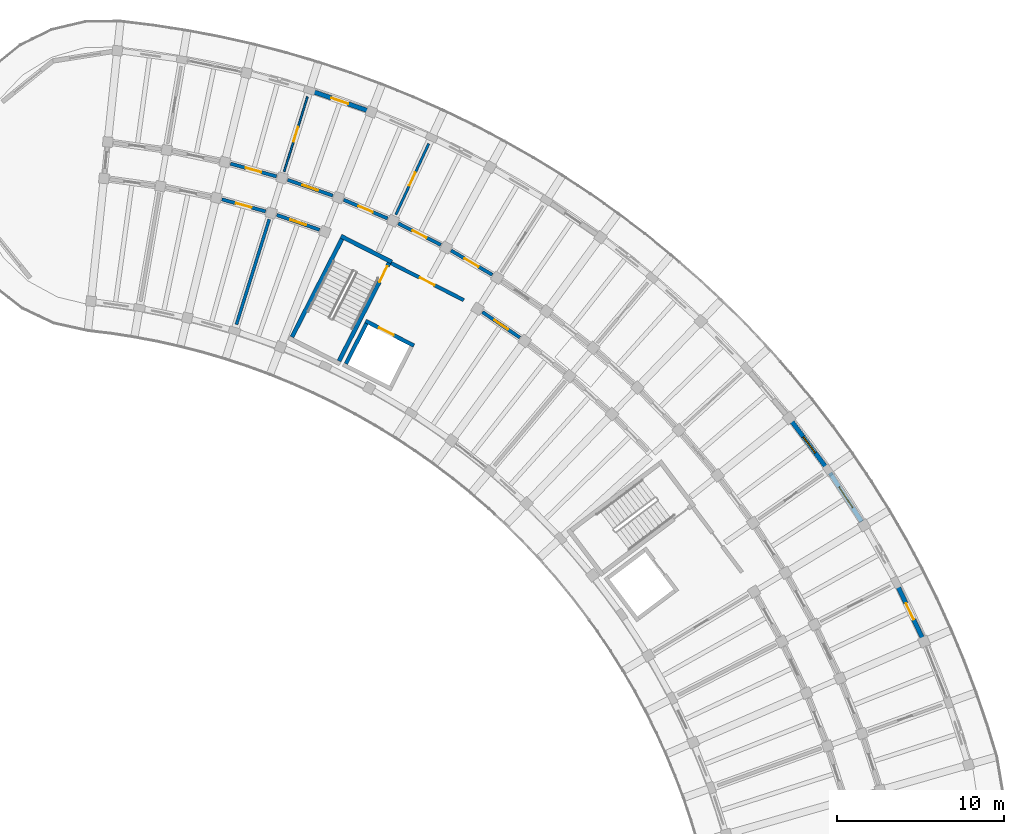
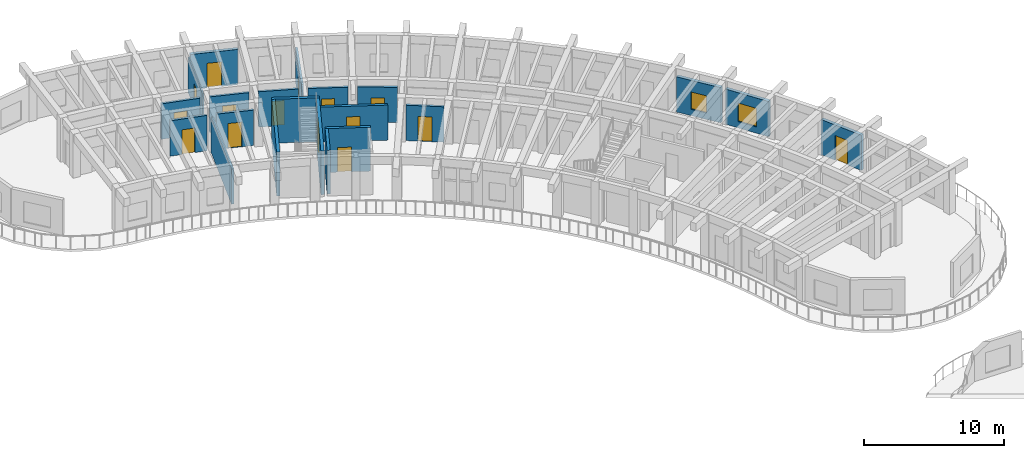
# One storey, part 100 of 128: 21 walls, 15 doors, 2 windows, 17 openings.
"""IFC4 building model written with IfcOpenShell, lengths in metres."""

from ifc_helpers import new_model, si_unit, direction, frame, frame_2d, origin, place, context, subcontext, project, spatial, rectangle, extrude, material, layer, layer_set, type_object, element, fill, save


model = new_model("IFC4")

# Units and contexts
model_context = context("Model", 3, precision=1e-05, world=origin(), true_north=direction((0.0, 1.0)))
body_context = subcontext(model_context, "Body", "Model", "MODEL_VIEW")
ifc_project = project(units=[si_unit("LENGTHUNIT", "METRE"), si_unit("AREAUNIT", "SQUARE_METRE"), si_unit("VOLUMEUNIT", "CUBIC_METRE"), si_unit("PLANEANGLEUNIT", "RADIAN"), si_unit("MASSUNIT", "GRAM", prefix="KILO")], contexts=[model_context])

# Site, building, storey
site_placement = place(None, origin())
site = spatial("IfcSite", under=ifc_project, at=site_placement, CompositionType="ELEMENT")
building_placement = place(site_placement, origin())
building = spatial("IfcBuilding", under=site, at=building_placement, Name="Tanwirah Colonnade Gardens", CompositionType="ELEMENT")
storey_placement = place(building_placement, frame((0.0, 0.0, 4.760009765625)))
storey = spatial("IfcBuildingStorey", under=building, at=storey_placement, Name="L01", CompositionType="ELEMENT", Elevation=4.760009765625)

# Wall, opening, door
ifc_material_1 = material(Name="Limestone architectural precast concrete C40/50", Category="masonry")
ifc_layer_1 = layer(ifc_material_1, 0.27001953125)
ifc_layer_set_1 = layer_set([ifc_layer_1], Name="Limestone architectural precast concrete C40/50")
wall_type_1 = type_object("IfcWallType", Name="EW-PC270", PredefinedType="SOLIDWALL", material=ifc_layer_set_1)
wall_1_placement = place(storey_placement, frame((175.471923828125, 84.2421875, 0.0), z_axis=(0.0, 0.0, 1.0), x_axis=(-0.429652732924, 0.902994202136, 0.0)))
wall_1 = element("IfcWall", 1, at=wall_1_placement, inside=storey, type_object=wall_type_1, Name="Block B L01 OUT Precast Facade Wall 2", PredefinedType="SOLIDWALL", context=body_context, shape_type="SweptSolid", body=[
    extrude(rectangle(XDim=3.475830078125, YDim=0.27001953125, at=frame_2d((1.73779296875, 0.0))), origin(), (0.0, 0.0, 1.0), 3.074951171875),
])
opening_1_placement = place(wall_1_placement, frame((1.19775390625, 0.0, 0.0)))
opening_1 = element("IfcOpeningElement", 2, at=opening_1_placement, cuts=wall_1, Name="Opening L01-ED070", PredefinedType="OPENING", context=body_context, shape_type="SweptSolid", body=[
    extrude(rectangle(XDim=1.080078125, YDim=2.14990234375, at=frame_2d((0.5400390625, 1.074951171875))), frame((0.0, 0.14501953125, 0.0), z_axis=(0.0, -1.0, 0.0), x_axis=(1.0, 0.0, 0.0)), (0.0, 0.0, 1.0), 0.2900390625),
])
ifc_material_2 = material(Name="Bronze aluminium glazed balcony door", Category="aluminium")
door_type_1 = type_object("IfcDoorType", Name="ED-BAL108", OperationType="NOTDEFINED", PredefinedType="DOOR", material=ifc_material_2)
door_1_placement = place(opening_1_placement, origin())
door_1 = element("IfcDoor", 3, at=door_1_placement, inside=storey, type_object=door_type_1, Name="Balcony glazed door L01-ED070", OperationType="SINGLE_SWING_RIGHT", OverallHeight=2.14990234375, OverallWidth=1.080078125, PredefinedType="DOOR", context=body_context, shape_type="SweptSolid", body=[
    extrude(rectangle(XDim=1.080078125, YDim=2.14990234375, at=frame_2d((0.5400390625, 1.074951171875))), frame((0.0, 0.02490234375, 0.0), z_axis=(0.0, -1.0, 0.0), x_axis=(1.0, 0.0, 0.0)), (0.0, 0.0, 1.0), 0.050048828125),
])
fill(opening_1, door_1)

# Wall, opening, window
wall_2_placement = place(storey_placement, frame((171.837646484375, 91.19580078125, 0.0), z_axis=(0.0, 0.0, 1.0), x_axis=(-0.544642658217, 0.838668215, 0.0)))
wall_2 = element("IfcWall", 4, at=wall_2_placement, inside=storey, type_object=wall_type_1, Name="Block B L01 OUT Precast Facade Wall 4", PredefinedType="SOLIDWALL", context=body_context, shape_type="SweptSolid", body=[
    extrude(rectangle(XDim=3.475830078125, YDim=0.27001953125, at=frame_2d((1.73779296875, 0.0))), origin(), (0.0, 0.0, 1.0), 3.074951171875),
])
opening_2_placement = place(wall_2_placement, frame((0.997802734375, 0.0, 0.550048828125)))
opening_2 = element("IfcOpeningElement", 5, at=opening_2_placement, cuts=wall_2, Name="Opening WIN-T19", PredefinedType="OPENING", context=body_context, shape_type="SweptSolid", body=[
    extrude(rectangle(XDim=1.47998046875, YDim=1.6201171875, at=frame_2d((0.739990234375, 0.81005859375))), frame((0.0, 0.14501953125, 0.0), z_axis=(0.0, -1.0, 0.0), x_axis=(1.0, 0.0, 0.0)), (0.0, 0.0, 1.0), 0.2900390625),
])
ifc_material_3 = material(Name="Thermally broken bronze aluminium and solar low-E double glazing", Category="aluminium")
window_type_1 = type_object("IfcWindowType", Name="WIN-T19", PartitioningType="DOUBLE_PANEL_VERTICAL", PredefinedType="WINDOW", material=ifc_material_3)
window_1_placement = place(opening_2_placement, origin())
window_1 = element("IfcWindow", 6, at=window_1_placement, inside=storey, type_object=window_type_1, Name="Facade window B-L01-OUT-04", OverallHeight=1.6201171875, OverallWidth=1.47998046875, PartitioningType="SINGLE_PANEL", PredefinedType="WINDOW", context=body_context, shape_type="SweptSolid", body=[
    extrude(rectangle(XDim=1.47998046875, YDim=1.6201171875, at=frame_2d((0.739990234375, 0.81005859375))), frame((0.0, 0.030029296875, 0.0), z_axis=(0.0, -1.0, 0.0), x_axis=(1.0, 0.0, 0.0)), (0.0, 0.0, 1.0), 0.06005859375),
])
fill(opening_2, window_1)

wall_3_placement = place(storey_placement, frame((169.73876953125, 94.406005859375, 0.0), z_axis=(0.0, 0.0, 1.0), x_axis=(-0.598684233613, 0.800985136206, 0.0)))
wall_3 = element("IfcWall", 7, at=wall_3_placement, inside=storey, type_object=wall_type_1, Name="Block B L01 OUT Precast Facade Wall 5", PredefinedType="SOLIDWALL", context=body_context, shape_type="SweptSolid", body=[
    extrude(rectangle(XDim=3.4755859375, YDim=0.27001953125, at=frame_2d((1.73779296875, 0.0))), origin(), (0.0, 0.0, 1.0), 3.074951171875),
])
opening_3_placement = place(wall_3_placement, frame((1.1376953125, 0.0, 0.550048828125)))
opening_3 = element("IfcOpeningElement", 8, at=opening_3_placement, cuts=wall_3, Name="Opening WIN-U02", PredefinedType="OPENING", context=body_context, shape_type="SweptSolid", body=[
    extrude(rectangle(XDim=1.199951171875, YDim=1.510009765625, at=frame_2d((0.60009765625, 0.7548828125))), frame((0.0, 0.14501953125, 0.0), z_axis=(0.0, -1.0, 0.0), x_axis=(1.0, 0.0, 0.0)), (0.0, 0.0, 1.0), 0.2900390625),
])
window_type_2 = type_object("IfcWindowType", Name="WIN-U02", PartitioningType="DOUBLE_PANEL_VERTICAL", PredefinedType="WINDOW", material=ifc_material_3)
window_2_placement = place(opening_3_placement, origin())
window_2 = element("IfcWindow", 9, at=window_2_placement, inside=storey, type_object=window_type_2, Name="Facade window B-L01-OUT-05", OverallHeight=1.510009765625, OverallWidth=1.199951171875, PartitioningType="SINGLE_PANEL", PredefinedType="WINDOW", context=body_context, shape_type="SweptSolid", body=[
    extrude(rectangle(XDim=1.199951171875, YDim=1.510009765625, at=frame_2d((0.60009765625, 0.7548828125))), frame((0.0, 0.030029296875, 0.0), z_axis=(0.0, -1.0, 0.0), x_axis=(1.0, 0.0, 0.0)), (0.0, 0.0, 1.0), 0.06005859375),
])
fill(opening_3, window_2)

# Wall, opening, door
wall_4_placement = place(storey_placement, frame((142.193603515625, 115.842041015625, 0.0), z_axis=(0.0, 0.0, 1.0), x_axis=(-0.944253002633, 0.329220696522, 0.0)))
wall_4 = element("IfcWall", 10, at=wall_4_placement, inside=storey, type_object=wall_type_1, Name="Block B L01 OUT Precast Facade Wall 14", PredefinedType="SOLIDWALL", context=body_context, shape_type="SweptSolid", body=[
    extrude(rectangle(XDim=3.475830078125, YDim=0.27001953125, at=frame_2d((1.73779296875, 0.0))), origin(), (0.0, 0.0, 1.0), 3.074951171875),
])
opening_4_placement = place(wall_4_placement, frame((1.19775390625, 0.0, 0.0)))
opening_4 = element("IfcOpeningElement", 11, at=opening_4_placement, cuts=wall_4, Name="Opening L01-ED074", PredefinedType="OPENING", context=body_context, shape_type="SweptSolid", body=[
    extrude(rectangle(XDim=1.080078125, YDim=2.14990234375, at=frame_2d((0.5400390625, 1.074951171875))), frame((0.0, 0.14501953125, 0.0), z_axis=(0.0, -1.0, 0.0), x_axis=(1.0, 0.0, 0.0)), (0.0, 0.0, 1.0), 0.2900390625),
])
door_2_placement = place(opening_4_placement, origin())
door_2 = element("IfcDoor", 12, at=door_2_placement, inside=storey, type_object=door_type_1, Name="Balcony glazed door L01-ED074", OperationType="SINGLE_SWING_RIGHT", OverallHeight=2.14990234375, OverallWidth=1.080078125, PredefinedType="DOOR", context=body_context, shape_type="SweptSolid", body=[
    extrude(rectangle(XDim=1.080078125, YDim=2.14990234375, at=frame_2d((0.5400390625, 1.074951171875))), frame((0.0, 0.02490234375, 0.0), z_axis=(0.0, -1.0, 0.0), x_axis=(1.0, 0.0, 0.0)), (0.0, 0.0, 1.0), 0.050048828125),
])
fill(opening_4, door_2)

ifc_material_4 = material(Name="Precast concrete C40/50", Category="concrete")
ifc_layer_2 = layer(ifc_material_4, 0.205078125)
ifc_layer_set_2 = layer_set([ifc_layer_2], Name="Precast concrete C40/50")
wall_type_2 = type_object("IfcWallType", Name="IW-CORR205", PredefinedType="PARTITIONING", material=ifc_layer_set_2)
wall_5_placement = place(storey_placement, frame((151.35009765625, 102.226318359375, 0.0), z_axis=(0.0, 0.0, 1.0), x_axis=(-0.825752009056, 0.56403334967, 0.0)))
wall_5 = element("IfcWall", 13, at=wall_5_placement, inside=storey, type_object=wall_type_2, Name="Block B L01 IN Corridor Wall 10", PredefinedType="PARTITIONING", context=body_context, shape_type="SweptSolid", body=[
    extrude(rectangle(XDim=2.71826171875, YDim=0.205078125, at=frame_2d((1.359130859375, 0.0))), origin(), (0.0, 0.0, 1.0), 3.090087890625),
])
opening_5_placement = place(wall_5_placement, frame((0.864013671875, 0.0, 0.0)))
opening_5 = element("IfcOpeningElement", 14, at=opening_5_placement, cuts=wall_5, Name="Opening L01-AD858", PredefinedType="OPENING", context=body_context, shape_type="SweptSolid", body=[
    extrude(rectangle(XDim=0.989990234375, YDim=2.159912109375, at=frame_2d((0.4951171875, 1.080078125))), frame((0.0, 0.112548828125, 0.0), z_axis=(0.0, -1.0, 0.0), x_axis=(1.0, 0.0, 0.0)), (0.0, 0.0, 1.0), 0.22509765625),
])
ifc_material_5 = material(Name="Solid oak fire-resisting apartment entrance door")
door_type_2 = type_object("IfcDoorType", Name="ID-FLT099", OperationType="NOTDEFINED", PredefinedType="DOOR", material=ifc_material_5)
door_3_placement = place(opening_5_placement, origin())
door_3 = element("IfcDoor", 15, at=door_3_placement, inside=storey, type_object=door_type_2, Name="Apartment corridor door L01-AD858", OperationType="SINGLE_SWING_LEFT", OverallHeight=2.159912109375, OverallWidth=0.989990234375, PredefinedType="DOOR", context=body_context, shape_type="SweptSolid", body=[
    extrude(rectangle(XDim=0.989990234375, YDim=2.159912109375, at=frame_2d((0.4951171875, 1.080078125))), frame((0.0, 0.02490234375, 0.0), z_axis=(0.0, -1.0, 0.0), x_axis=(1.0, 0.0, 0.0)), (0.0, 0.0, 1.0), 0.050048828125),
])
fill(opening_5, door_3)

wall_6_placement = place(storey_placement, frame((149.6953125, 105.991455078125, 0.0), z_axis=(0.0, 0.0, 1.0), x_axis=(-0.861113214678, 0.508413248753, 0.0)))
wall_6 = element("IfcWall", 16, at=wall_6_placement, inside=storey, type_object=wall_type_2, Name="Block B L01 OUT Corridor Wall 11", PredefinedType="PARTITIONING", context=body_context, shape_type="SweptSolid", body=[
    extrude(rectangle(XDim=2.863037109375, YDim=0.205078125, at=frame_2d((1.431640625, 0.0))), origin(), (0.0, 0.0, 1.0), 3.090087890625),
])
opening_6_placement = place(wall_6_placement, frame((0.946533203125, 0.0, 0.0)))
opening_6 = element("IfcOpeningElement", 17, at=opening_6_placement, cuts=wall_6, Name="Opening L01-AD860", PredefinedType="OPENING", context=body_context, shape_type="SweptSolid", body=[
    extrude(rectangle(XDim=0.969970703125, YDim=2.14990234375, at=frame_2d((0.48486328125, 1.074951171875))), frame((0.0, 0.112548828125, 0.0), z_axis=(0.0, -1.0, 0.0), x_axis=(1.0, 0.0, 0.0)), (0.0, 0.0, 1.0), 0.22509765625),
])
door_type_3 = type_object("IfcDoorType", Name="ID-FLT097", OperationType="NOTDEFINED", PredefinedType="DOOR", material=ifc_material_5)
door_4_placement = place(opening_6_placement, origin())
door_4 = element("IfcDoor", 18, at=door_4_placement, inside=storey, type_object=door_type_3, Name="Apartment corridor door L01-AD860", OperationType="SINGLE_SWING_LEFT", OverallHeight=2.14990234375, OverallWidth=0.969970703125, PredefinedType="DOOR", context=body_context, shape_type="SweptSolid", body=[
    extrude(rectangle(XDim=0.969970703125, YDim=2.14990234375, at=frame_2d((0.48486328125, 1.074951171875))), frame((0.0, 0.02490234375, 0.0), z_axis=(0.0, -1.0, 0.0), x_axis=(1.0, 0.0, 0.0)), (0.0, 0.0, 1.0), 0.050048828125),
])
fill(opening_6, door_4)

wall_7_placement = place(storey_placement, frame((146.615966796875, 107.782470703125, 0.0), z_axis=(0.0, 0.0, 1.0), x_axis=(-0.89273239336, 0.450587254419, 0.0)))
wall_7 = element("IfcWall", 19, at=wall_7_placement, inside=storey, type_object=wall_type_2, Name="Block B L01 OUT Corridor Wall 12", PredefinedType="PARTITIONING", context=body_context, shape_type="SweptSolid", body=[
    extrude(rectangle(XDim=2.863037109375, YDim=0.205078125, at=frame_2d((1.431640625, 0.0))), origin(), (0.0, 0.0, 1.0), 3.090087890625),
])
opening_7_placement = place(wall_7_placement, frame((0.95654296875, 0.0, 0.0)))
opening_7 = element("IfcOpeningElement", 20, at=opening_7_placement, cuts=wall_7, Name="Opening L01-AD861", PredefinedType="OPENING", context=body_context, shape_type="SweptSolid", body=[
    extrude(rectangle(XDim=0.949951171875, YDim=2.1298828125, at=frame_2d((0.47509765625, 1.06494140625))), frame((0.0, 0.112548828125, 0.0), z_axis=(0.0, -1.0, 0.0), x_axis=(1.0, 0.0, 0.0)), (0.0, 0.0, 1.0), 0.22509765625),
])
door_type_4 = type_object("IfcDoorType", Name="ID-FLT095", OperationType="NOTDEFINED", PredefinedType="DOOR", material=ifc_material_5)
door_5_placement = place(opening_7_placement, origin())
door_5 = element("IfcDoor", 21, at=door_5_placement, inside=storey, type_object=door_type_4, Name="Apartment corridor door L01-AD861", OperationType="SINGLE_SWING_RIGHT", OverallHeight=2.1298828125, OverallWidth=0.949951171875, PredefinedType="DOOR", context=body_context, shape_type="SweptSolid", body=[
    extrude(rectangle(XDim=0.949951171875, YDim=2.1298828125, at=frame_2d((0.47509765625, 1.06494140625))), frame((0.0, 0.02490234375, 0.0), z_axis=(0.0, -1.0, 0.0), x_axis=(1.0, 0.0, 0.0)), (0.0, 0.0, 1.0), 0.050048828125),
])
fill(opening_7, door_5)

wall_8_placement = place(storey_placement, frame((143.42529296875, 109.366943359375, 0.0), z_axis=(0.0, 0.0, 1.0), x_axis=(-0.920511160294, 0.390716270168, 0.0)))
wall_8 = element("IfcWall", 22, at=wall_8_placement, inside=storey, type_object=wall_type_2, Name="Block B L01 OUT Corridor Wall 13", PredefinedType="PARTITIONING", context=body_context, shape_type="SweptSolid", body=[
    extrude(rectangle(XDim=2.863037109375, YDim=0.205078125, at=frame_2d((1.431640625, 0.0))), origin(), (0.0, 0.0, 1.0), 3.090087890625),
])
opening_8_placement = place(wall_8_placement, frame((0.966552734375, 0.0, 0.0)))
opening_8 = element("IfcOpeningElement", 23, at=opening_8_placement, cuts=wall_8, Name="Opening L01-AD863", PredefinedType="OPENING", context=body_context, shape_type="SweptSolid", body=[
    extrude(rectangle(XDim=0.929931640625, YDim=2.1201171875, at=frame_2d((0.46484375, 1.06005859375))), frame((0.0, 0.112548828125, 0.0), z_axis=(0.0, -1.0, 0.0), x_axis=(1.0, 0.0, 0.0)), (0.0, 0.0, 1.0), 0.22509765625),
])
door_type_5 = type_object("IfcDoorType", Name="ID-FLT093", OperationType="NOTDEFINED", PredefinedType="DOOR", material=ifc_material_5)
door_6_placement = place(opening_8_placement, origin())
door_6 = element("IfcDoor", 24, at=door_6_placement, inside=storey, type_object=door_type_5, Name="Apartment corridor door L01-AD863", OperationType="SINGLE_SWING_LEFT", OverallHeight=2.1201171875, OverallWidth=0.929931640625, PredefinedType="DOOR", context=body_context, shape_type="SweptSolid", body=[
    extrude(rectangle(XDim=0.929931640625, YDim=2.1201171875, at=frame_2d((0.46484375, 1.06005859375))), frame((0.0, 0.02490234375, 0.0), z_axis=(0.0, -1.0, 0.0), x_axis=(1.0, 0.0, 0.0)), (0.0, 0.0, 1.0), 0.050048828125),
])
fill(opening_8, door_6)

wall_9_placement = place(storey_placement, frame((140.13720703125, 110.737548828125, 0.0), z_axis=(0.0, 0.0, 1.0), x_axis=(-0.944253820929, 0.329218349522, 0.0)))
wall_9 = element("IfcWall", 25, at=wall_9_placement, inside=storey, type_object=wall_type_2, Name="Block B L01 OUT Corridor Wall 14", PredefinedType="PARTITIONING", context=body_context, shape_type="SweptSolid", body=[
    extrude(rectangle(XDim=2.86328125, YDim=0.205078125, at=frame_2d((1.431640625, 0.0))), origin(), (0.0, 0.0, 1.0), 3.090087890625),
])
opening_9_placement = place(wall_9_placement, frame((0.9365234375, 0.0, 0.0)))
opening_9 = element("IfcOpeningElement", 26, at=opening_9_placement, cuts=wall_9, Name="Opening L01-AD864", PredefinedType="OPENING", context=body_context, shape_type="SweptSolid", body=[
    extrude(rectangle(XDim=0.989990234375, YDim=2.159912109375, at=frame_2d((0.4951171875, 1.080078125))), frame((0.0, 0.112548828125, 0.0), z_axis=(0.0, -1.0, 0.0), x_axis=(1.0, 0.0, 0.0)), (0.0, 0.0, 1.0), 0.22509765625),
])
door_7_placement = place(opening_9_placement, origin())
door_7 = element("IfcDoor", 27, at=door_7_placement, inside=storey, type_object=door_type_2, Name="Apartment corridor door L01-AD864", OperationType="SINGLE_SWING_RIGHT", OverallHeight=2.159912109375, OverallWidth=0.989990234375, PredefinedType="DOOR", context=body_context, shape_type="SweptSolid", body=[
    extrude(rectangle(XDim=0.989990234375, YDim=2.159912109375, at=frame_2d((0.4951171875, 1.080078125))), frame((0.0, 0.02490234375, 0.0), z_axis=(0.0, -1.0, 0.0), x_axis=(1.0, 0.0, 0.0)), (0.0, 0.0, 1.0), 0.050048828125),
])
fill(opening_9, door_7)

wall_10_placement = place(storey_placement, frame((139.3447265625, 108.685302734375, 0.0), z_axis=(0.0, 0.0, 1.0), x_axis=(-0.944265123647, 0.329185929627, 0.0)))
wall_10 = element("IfcWall", 28, at=wall_10_placement, inside=storey, type_object=wall_type_2, Name="Block B L01 IN Corridor Wall 14", PredefinedType="PARTITIONING", context=body_context, shape_type="SweptSolid", body=[
    extrude(rectangle(XDim=2.71826171875, YDim=0.205078125, at=frame_2d((1.359130859375, 0.0))), origin(), (0.0, 0.0, 1.0), 3.090087890625),
])
opening_10_placement = place(wall_10_placement, frame((0.864013671875, 0.0, 0.0)))
opening_10 = element("IfcOpeningElement", 29, at=opening_10_placement, cuts=wall_10, Name="Opening L01-AD865", PredefinedType="OPENING", context=body_context, shape_type="SweptSolid", body=[
    extrude(rectangle(XDim=0.989990234375, YDim=2.159912109375, at=frame_2d((0.4951171875, 1.080078125))), frame((0.0, 0.112548828125, 0.0), z_axis=(0.0, -1.0, 0.0), x_axis=(1.0, 0.0, 0.0)), (0.0, 0.0, 1.0), 0.22509765625),
])
door_8_placement = place(opening_10_placement, origin())
door_8 = element("IfcDoor", 30, at=door_8_placement, inside=storey, type_object=door_type_2, Name="Apartment corridor door L01-AD865", OperationType="SINGLE_SWING_LEFT", OverallHeight=2.159912109375, OverallWidth=0.989990234375, PredefinedType="DOOR", context=body_context, shape_type="SweptSolid", body=[
    extrude(rectangle(XDim=0.989990234375, YDim=2.159912109375, at=frame_2d((0.4951171875, 1.080078125))), frame((0.0, 0.02490234375, 0.0), z_axis=(0.0, -1.0, 0.0), x_axis=(1.0, 0.0, 0.0)), (0.0, 0.0, 1.0), 0.050048828125),
])
fill(opening_10, door_8)

wall_11_placement = place(storey_placement, frame((136.765869140625, 111.888671875, 0.0), z_axis=(0.0, 0.0, 1.0), x_axis=(-0.963890789093, 0.266297853356, 0.0)))
wall_11 = element("IfcWall", 31, at=wall_11_placement, inside=storey, type_object=wall_type_2, Name="Block B L01 OUT Corridor Wall 15", PredefinedType="PARTITIONING", context=body_context, shape_type="SweptSolid", body=[
    extrude(rectangle(XDim=2.863037109375, YDim=0.205078125, at=frame_2d((1.431640625, 0.0))), origin(), (0.0, 0.0, 1.0), 3.090087890625),
])
opening_11_placement = place(wall_11_placement, frame((0.946533203125, 0.0, 0.0)))
opening_11 = element("IfcOpeningElement", 32, at=opening_11_placement, cuts=wall_11, Name="Opening L01-AD867", PredefinedType="OPENING", context=body_context, shape_type="SweptSolid", body=[
    extrude(rectangle(XDim=0.969970703125, YDim=2.14990234375, at=frame_2d((0.48486328125, 1.074951171875))), frame((0.0, 0.112548828125, 0.0), z_axis=(0.0, -1.0, 0.0), x_axis=(1.0, 0.0, 0.0)), (0.0, 0.0, 1.0), 0.22509765625),
])
door_9_placement = place(opening_11_placement, origin())
door_9 = element("IfcDoor", 33, at=door_9_placement, inside=storey, type_object=door_type_3, Name="Apartment corridor door L01-AD867", OperationType="SINGLE_SWING_LEFT", OverallHeight=2.14990234375, OverallWidth=0.969970703125, PredefinedType="DOOR", context=body_context, shape_type="SweptSolid", body=[
    extrude(rectangle(XDim=0.969970703125, YDim=2.14990234375, at=frame_2d((0.48486328125, 1.074951171875))), frame((0.0, 0.02490234375, 0.0), z_axis=(0.0, -1.0, 0.0), x_axis=(1.0, 0.0, 0.0)), (0.0, 0.0, 1.0), 0.050048828125),
])
fill(opening_11, door_9)

wall_12_placement = place(storey_placement, frame((136.1103515625, 109.78857421875, 0.0), z_axis=(0.0, 0.0, 1.0), x_axis=(-0.96388375821, 0.266323301006, 0.0)))
wall_12 = element("IfcWall", 34, at=wall_12_placement, inside=storey, type_object=wall_type_2, Name="Block B L01 IN Corridor Wall 15", PredefinedType="PARTITIONING", context=body_context, shape_type="SweptSolid", body=[
    extrude(rectangle(XDim=2.718017578125, YDim=0.205078125, at=frame_2d((1.35888671875, 0.0))), origin(), (0.0, 0.0, 1.0), 3.090087890625),
])
opening_12_placement = place(wall_12_placement, frame((0.8740234375, 0.0, 0.0)))
opening_12 = element("IfcOpeningElement", 35, at=opening_12_placement, cuts=wall_12, Name="Opening L01-AD868", PredefinedType="OPENING", context=body_context, shape_type="SweptSolid", body=[
    extrude(rectangle(XDim=0.969970703125, YDim=2.14990234375, at=frame_2d((0.48486328125, 1.074951171875))), frame((0.0, 0.112548828125, 0.0), z_axis=(0.0, -1.0, 0.0), x_axis=(1.0, 0.0, 0.0)), (0.0, 0.0, 1.0), 0.22509765625),
])
door_10_placement = place(opening_12_placement, origin())
door_10 = element("IfcDoor", 36, at=door_10_placement, inside=storey, type_object=door_type_3, Name="Apartment corridor door L01-AD868", OperationType="SINGLE_SWING_RIGHT", OverallHeight=2.14990234375, OverallWidth=0.969970703125, PredefinedType="DOOR", context=body_context, shape_type="SweptSolid", body=[
    extrude(rectangle(XDim=0.969970703125, YDim=2.14990234375, at=frame_2d((0.48486328125, 1.074951171875))), frame((0.0, 0.02490234375, 0.0), z_axis=(0.0, -1.0, 0.0), x_axis=(1.0, 0.0, 0.0)), (0.0, 0.0, 1.0), 0.050048828125),
])
fill(opening_12, door_10)

# Wall
ifc_layer_3 = layer(ifc_material_4, 0.18505859375)
ifc_layer_set_3 = layer_set([ifc_layer_3], Name="Precast concrete C40/50")
wall_type_3 = type_object("IfcWallType", Name="IW-DEM185", PredefinedType="PARTITIONING", material=ifc_layer_set_3)
wall_13_placement = place(storey_placement, frame((134.362060546875, 103.01318359375, 0.0), z_axis=(0.0, 0.0, 1.0), x_axis=(0.2979590431, 0.954578655028, 0.0)))
element("IfcWall", 37, at=wall_13_placement, inside=storey, type_object=wall_type_3, Name="Block B L01 Inner Radial Partition 14", PredefinedType="PARTITIONING", context=body_context, shape_type="SweptSolid", body=[
    extrude(rectangle(XDim=6.60009765625, YDim=0.18505859375, at=frame_2d((3.300048828125, 0.0))), origin(), (0.0, 0.0, 1.0), 3.090087890625),
])

# Wall, opening, door
ifc_material_6 = material(Name="Autoclaved aerated masonry blockwork", Category="masonry")
ifc_layer_4 = layer(ifc_material_6, 0.219970703125)
ifc_layer_set_4 = layer_set([ifc_layer_4], Name="Autoclaved aerated masonry blockwork")
wall_type_4 = type_object("IfcWallType", Name="IW-FFL220", PredefinedType="PARTITIONING", material=ifc_layer_set_4)
wall_14_placement = place(storey_placement, frame((143.624755859375, 106.6962890625, 0.0), z_axis=(0.0, 0.0, 1.0), x_axis=(0.891003372311, -0.453996685595, 0.0)))
wall_14 = element("IfcWall", 38, at=wall_14_placement, inside=storey, type_object=wall_type_4, Name="CORE-B2 L01 Enclosed Lobby Fire Wall", PredefinedType="PARTITIONING", context=body_context, shape_type="SweptSolid", body=[
    extrude(rectangle(XDim=4.900146484375, YDim=0.219970703125, at=frame_2d((2.4501953125, 0.0))), origin(), (0.0, 0.0, 1.0), 3.06005859375),
])
opening_13_placement = place(wall_14_placement, frame((1.949951171875, 0.0, 0.0)))
opening_13 = element("IfcOpeningElement", 39, at=opening_13_placement, cuts=wall_14, Name="Opening L01-LD109", PredefinedType="OPENING", context=body_context, shape_type="SweptSolid", body=[
    extrude(rectangle(XDim=0.97998046875, YDim=2.139892578125, at=frame_2d((0.489990234375, 1.06982421875))), frame((0.0, 0.119873046875, 0.0), z_axis=(0.0, -1.0, 0.0), x_axis=(1.0, 0.0, 0.0)), (0.0, 0.0, 1.0), 0.239990234375),
])
ifc_material_7 = material(Name="Acoustic fire-resisting lobby door")
door_type_6 = type_object("IfcDoorType", Name="ID-FFL098", OperationType="NOTDEFINED", PredefinedType="DOOR", material=ifc_material_7)
door_11_placement = place(opening_13_placement, origin())
door_11 = element("IfcDoor", 40, at=door_11_placement, inside=storey, type_object=door_type_6, Name="CORE-B2 L01 Lobby Fire Door L01-LD109", OperationType="SINGLE_SWING_RIGHT", OverallHeight=2.139892578125, OverallWidth=0.97998046875, PredefinedType="DOOR", context=body_context, shape_type="SweptSolid", body=[
    extrude(rectangle(XDim=0.97998046875, YDim=2.139892578125, at=frame_2d((0.489990234375, 1.06982421875))), frame((0.0, 0.02490234375, 0.0), z_axis=(0.0, -1.0, 0.0), x_axis=(1.0, 0.0, 0.0)), (0.0, 0.0, 1.0), 0.050048828125),
])
fill(opening_13, door_11)

ifc_material_8 = material(Name="Acoustic gypsum stud partition")
ifc_layer_5 = layer(ifc_material_8, 0.114990234375)
ifc_layer_set_5 = layer_set([ifc_layer_5], Name="Acoustic gypsum stud partition")
wall_type_5 = type_object("IfcWallType", Name="IW-INT115", PredefinedType="PARTITIONING", material=ifc_layer_set_5)
wall_15_placement = place(storey_placement, frame((137.222412109375, 112.17724609375, 0.0), z_axis=(0.0, 0.0, 1.0), x_axis=(0.297905254614, 0.954595442726, 0.0)))
wall_15 = element("IfcWall", 41, at=wall_15_placement, inside=storey, type_object=wall_type_5, Name="Block B L01 Radial Partition 14", PredefinedType="PARTITIONING", context=body_context, shape_type="SweptSolid", body=[
    extrude(rectangle(XDim=4.699951171875, YDim=0.114990234375, at=frame_2d((2.35009765625, 0.0))), origin(), (0.0, 0.0, 1.0), 3.090087890625),
])
opening_14_placement = place(wall_15_placement, frame((1.89501953125, 0.0, 0.0)))
opening_14 = element("IfcOpeningElement", 42, at=opening_14_placement, cuts=wall_15, Name="Opening L01-RD866", PredefinedType="OPENING", context=body_context, shape_type="SweptSolid", body=[
    extrude(rectangle(XDim=0.909912109375, YDim=2.10009765625, at=frame_2d((0.455078125, 1.050048828125))), frame((0.0, 0.0673828125, 0.0), z_axis=(0.0, -1.0, 0.0), x_axis=(1.0, 0.0, 0.0)), (0.0, 0.0, 1.0), 0.135009765625),
])
ifc_material_9 = material(Name="Painted hardwood internal room door", Category="wood")
door_type_7 = type_object("IfcDoorType", Name="ID-RM091", OperationType="NOTDEFINED", PredefinedType="DOOR", material=ifc_material_9)
door_12_placement = place(opening_14_placement, origin())
door_12 = element("IfcDoor", 43, at=door_12_placement, inside=storey, type_object=door_type_7, Name="Internal apartment door L01-RD866", OperationType="SINGLE_SWING_RIGHT", OverallHeight=2.10009765625, OverallWidth=0.909912109375, PredefinedType="DOOR", context=body_context, shape_type="SweptSolid", body=[
    extrude(rectangle(XDim=0.909912109375, YDim=2.10009765625, at=frame_2d((0.455078125, 1.050048828125))), frame((0.0, 0.02490234375, 0.0), z_axis=(0.0, -1.0, 0.0), x_axis=(1.0, 0.0, 0.0)), (0.0, 0.0, 1.0), 0.050048828125),
])
fill(opening_14, door_12)

ifc_material_10 = material(Name="Water-resistant acoustic plumbing partition")
ifc_layer_6 = layer(ifc_material_10, 0.14990234375)
ifc_layer_set_6 = layer_set([ifc_layer_6], Name="Water-resistant acoustic plumbing partition")
wall_type_6 = type_object("IfcWallType", Name="IW-WET150", PredefinedType="PLUMBINGWALL", material=ifc_layer_set_6)
wall_16_placement = place(storey_placement, frame((143.915771484375, 109.593017578125, 0.0), z_axis=(0.0, 0.0, 1.0), x_axis=(0.420862519045, 0.907124434718, 0.0)))
wall_16 = element("IfcWall", 44, at=wall_16_placement, inside=storey, type_object=wall_type_6, Name="Block B L01 Radial Partition 12", PredefinedType="PLUMBINGWALL", context=body_context, shape_type="SweptSolid", body=[
    extrude(rectangle(XDim=4.699951171875, YDim=0.14990234375, at=frame_2d((2.35009765625, 0.0))), origin(), (0.0, 0.0, 1.0), 3.090087890625),
])
opening_15_placement = place(wall_16_placement, frame((1.919921875, 0.0, 0.0)))
opening_15 = element("IfcOpeningElement", 45, at=opening_15_placement, cuts=wall_16, Name="Opening L01-RD862", PredefinedType="OPENING", context=body_context, shape_type="SweptSolid", body=[
    extrude(rectangle(XDim=0.860107421875, YDim=2.06005859375, at=frame_2d((0.43017578125, 1.030029296875))), frame((0.0, 0.0849609375, 0.0), z_axis=(0.0, -1.0, 0.0), x_axis=(1.0, 0.0, 0.0)), (0.0, 0.0, 1.0), 0.169921875),
])
ifc_material_11 = material(Name="Moisture-resistant bathroom door")
door_type_8 = type_object("IfcDoorType", Name="ID-WET086", OperationType="NOTDEFINED", PredefinedType="DOOR", material=ifc_material_11)
door_13_placement = place(opening_15_placement, origin())
door_13 = element("IfcDoor", 46, at=door_13_placement, inside=storey, type_object=door_type_8, Name="Internal apartment door L01-RD862", OperationType="SINGLE_SWING_RIGHT", OverallHeight=2.06005859375, OverallWidth=0.860107421875, PredefinedType="DOOR", context=body_context, shape_type="SweptSolid", body=[
    extrude(rectangle(XDim=0.860107421875, YDim=2.06005859375, at=frame_2d((0.43017578125, 1.030029296875))), frame((0.0, 0.02490234375, 0.0), z_axis=(0.0, -1.0, 0.0), x_axis=(1.0, 0.0, 0.0)), (0.0, 0.0, 1.0), 0.050048828125),
])
fill(opening_15, door_13)

# Walls
ifc_material_12 = material(Name="Concrete C45/55", Category="concrete")
ifc_layer_7 = layer(ifc_material_12, 0.25)
ifc_layer_set_7 = layer_set([ifc_layer_7], Name="Concrete C45/55")
wall_type_7 = type_object("IfcWallType", Name="SW-CORE250", PredefinedType="SHEAR", material=ifc_layer_set_7)
wall_17_placement = place(storey_placement, frame((140.68408203125, 108.138671875, 0.0), z_axis=(0.0, 0.0, 1.0), x_axis=(-0.453992276384, -0.891005618941, 0.0)))
element("IfcWall", 47, at=wall_17_placement, inside=storey, type_object=wall_type_7, Name="CORE-B2 L01 Stair Shaft Shear Wall LEFT", PredefinedType="SHEAR", context=body_context, shape_type="SweptSolid", body=[
    extrude(rectangle(XDim=6.599853515625, YDim=0.25, at=frame_2d((3.2998046875, 0.0))), origin(), (0.0, 0.0, 1.0), 3.830078125),
])
wall_18_placement = place(storey_placement, frame((140.62939453125, 108.306640625, 0.0), z_axis=(0.0, 0.0, 1.0), x_axis=(0.891032414707, -0.453939683153, 0.0)))
element("IfcWall", 48, at=wall_18_placement, inside=storey, type_object=wall_type_7, Name="CORE-B2 L01 Stair Shaft Shear Wall NEAR", PredefinedType="SHEAR", context=body_context, shape_type="SweptSolid", body=[
    extrude(rectangle(XDim=3.419921875, YDim=0.25, at=frame_2d((1.7099609375, 0.0))), origin(), (0.0, 0.0, 1.0), 3.830078125),
])

# Wall, opening, door
wall_19_placement = place(storey_placement, frame((143.508544921875, 106.699462890625, 0.0), z_axis=(0.0, 0.0, 1.0), x_axis=(-0.453992276384, -0.891005618941, 0.0)))
wall_19 = element("IfcWall", 49, at=wall_19_placement, inside=storey, type_object=wall_type_7, Name="CORE-B2 L01 Stair Shaft Shear Wall RIGHT", PredefinedType="SHEAR", context=body_context, shape_type="SweptSolid", body=[
    extrude(rectangle(XDim=6.599853515625, YDim=0.25, at=frame_2d((3.2998046875, 0.0))), origin(), (0.0, 0.0, 1.0), 3.830078125),
])
opening_16_placement = place(wall_19_placement, frame((0.219970703125, 0.0, 0.0)))
opening_16 = element("IfcOpeningElement", 50, at=opening_16_placement, cuts=wall_19, Name="Opening L01-SD095", PredefinedType="OPENING", context=body_context, shape_type="SweptSolid", body=[
    extrude(rectangle(XDim=1.050048828125, YDim=2.14990234375, at=frame_2d((0.52490234375, 1.074951171875))), frame((0.0, 0.135009765625, 0.0), z_axis=(0.0, -1.0, 0.0), x_axis=(1.0, 0.0, 0.0)), (0.0, 0.0, 1.0), 0.27001953125),
])
ifc_material_13 = material(Name="Steel fire-resisting stair enclosure door", Category="steel")
door_type_9 = type_object("IfcDoorType", Name="ID-ST105", OperationType="NOTDEFINED", PredefinedType="DOOR", material=ifc_material_13)
door_14_placement = place(opening_16_placement, origin())
door_14 = element("IfcDoor", 51, at=door_14_placement, inside=storey, type_object=door_type_9, Name="CORE-B2 L01 Stair Fire Door L01-SD095", OperationType="SINGLE_SWING_RIGHT", OverallHeight=2.14990234375, OverallWidth=1.050048828125, PredefinedType="DOOR", context=body_context, shape_type="SweptSolid", body=[
    extrude(rectangle(XDim=1.050048828125, YDim=2.14990234375, at=frame_2d((0.52490234375, 1.074951171875))), frame((0.0, 0.02490234375, 0.0), z_axis=(0.0, -1.0, 0.0), x_axis=(1.0, 0.0, 0.0)), (0.0, 0.0, 1.0), 0.050048828125),
])
fill(opening_16, door_14)

ifc_layer_8 = layer(ifc_material_12, 0.22998046875)
ifc_layer_set_8 = layer_set([ifc_layer_8], Name="Concrete C45/55")
wall_type_8 = type_object("IfcWallType", Name="SW-LIFT230", PredefinedType="SHEAR", material=ifc_layer_set_8)
wall_20_placement = place(storey_placement, frame((142.1025390625, 103.223876953125, 0.0), z_axis=(0.0, 0.0, 1.0), x_axis=(0.891001200497, -0.454000947921, 0.0)))
wall_20 = element("IfcWall", 52, at=wall_20_placement, inside=storey, type_object=wall_type_8, Name="CORE-B2 L01 Lift Shaft Wall FRONT", PredefinedType="SHEAR", context=body_context, shape_type="SweptSolid", body=[
    extrude(rectangle(XDim=3.259765625, YDim=0.22998046875, at=frame_2d((1.6298828125, 0.0))), origin(), (0.0, 0.0, 1.0), 3.830078125),
])
opening_17_placement = place(wall_20_placement, frame((0.89990234375, 0.0, 0.0)))
opening_17 = element("IfcOpeningElement", 53, at=opening_17_placement, cuts=wall_20, Name="Opening L01-LD-PL-B2", PredefinedType="OPENING", context=body_context, shape_type="SweptSolid", body=[
    extrude(rectangle(XDim=1.0, YDim=2.14990234375, at=frame_2d((0.5, 1.074951171875))), frame((0.0, 0.125, 0.0), z_axis=(0.0, -1.0, 0.0), x_axis=(1.0, 0.0, 0.0)), (0.0, 0.0, 1.0), 0.25),
])
ifc_material_14 = material(Name="Bronze stainless steel sliding lift landing door", Category="steel")
door_type_10 = type_object("IfcDoorType", Name="LD-PS10", OperationType="DOUBLE_DOOR_SLIDING", PredefinedType="DOOR", material=ifc_material_14)
door_15_placement = place(opening_17_placement, origin())
door_15 = element("IfcDoor", 54, at=door_15_placement, inside=storey, type_object=door_type_10, Name="Lift PL-B2 L01 Sliding Landing Door", OperationType="DOUBLE_DOOR_SLIDING", OverallHeight=2.14990234375, OverallWidth=1.0, PredefinedType="DOOR", context=body_context, shape_type="SweptSolid", body=[
    extrude(rectangle(XDim=1.0, YDim=2.14990234375, at=frame_2d((0.5, 1.074951171875))), frame((0.0, 0.02490234375, 0.0), z_axis=(0.0, -1.0, 0.0), x_axis=(1.0, 0.0, 0.0)), (0.0, 0.0, 1.0), 0.050048828125),
])
fill(opening_17, door_15)

# Wall
wall_21_placement = place(storey_placement, frame((142.15283203125, 103.0693359375, 0.0), z_axis=(0.0, 0.0, 1.0), x_axis=(-0.454000278178, -0.891001541758, 0.0)))
element("IfcWall", 55, at=wall_21_placement, inside=storey, type_object=wall_type_8, Name="CORE-B2 L01 Lift Shaft Wall SIDEA", PredefinedType="SHEAR", context=body_context, shape_type="SweptSolid", body=[
    extrude(rectangle(XDim=2.699951171875, YDim=0.22998046875, at=frame_2d((1.35009765625, 0.0))), origin(), (0.0, 0.0, 1.0), 3.830078125),
])

save(model, "model.ifc")
